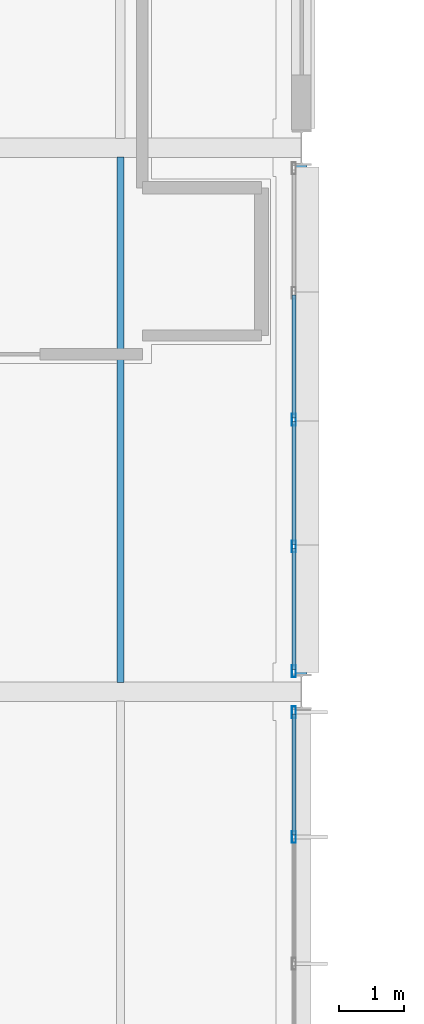
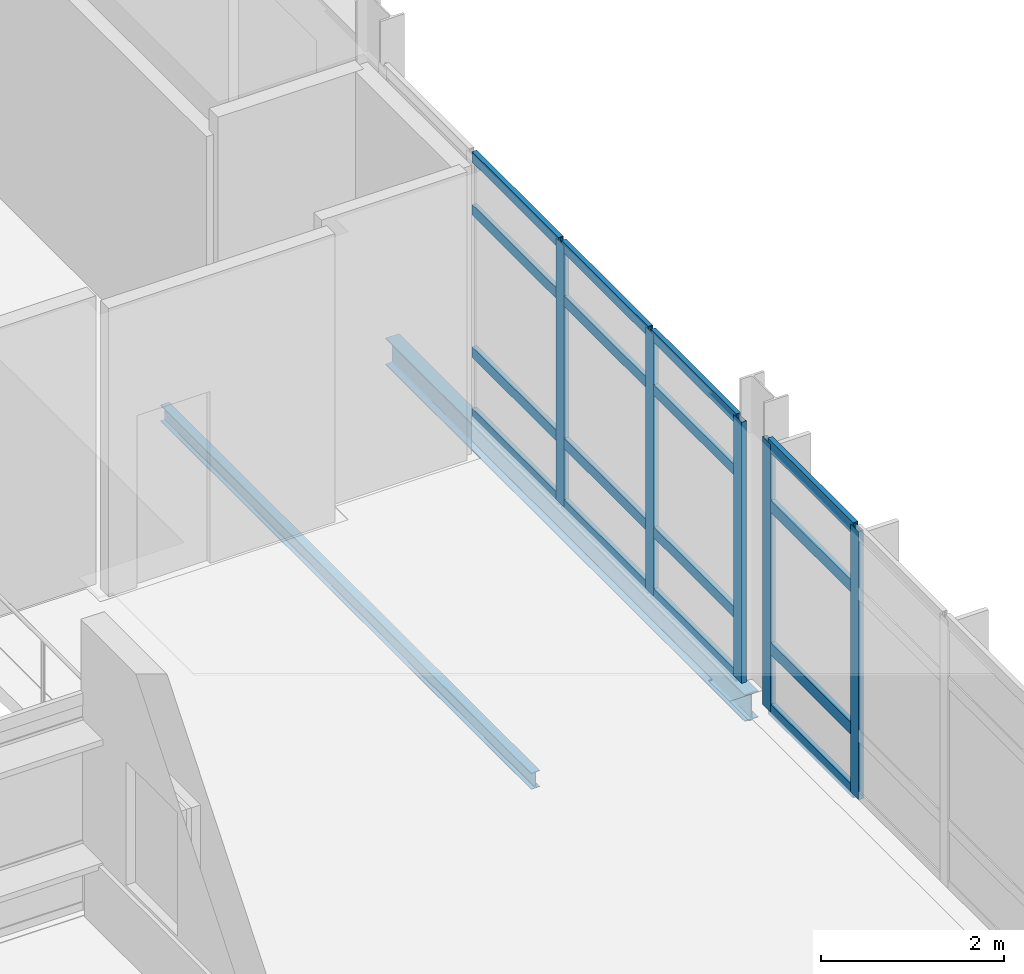
# One storey, part 31 of 131: 21 members, 2 beams, 2 elements without a shape of their own.
"""IFC4 building model written with IfcOpenShell, lengths in metres."""

from ifc_helpers import new_model, si_unit, direction, frame, origin, origin_2d, place, context, subcontext, project, spatial, hollow_rectangle, i_section, extrude, material, material_profile, profile_set, type_object, element, aggregate, save


model = new_model("IFC4")

# Units and contexts
model_context = context("Model", 3, precision=1e-05, world=origin(), true_north=direction((0.0, 1.0)))
body_context = subcontext(model_context, "Body", "Model", "MODEL_VIEW")
ifc_project = project(units=[si_unit("LENGTHUNIT", "METRE"), si_unit("AREAUNIT", "SQUARE_METRE"), si_unit("VOLUMEUNIT", "CUBIC_METRE"), si_unit("PLANEANGLEUNIT", "RADIAN"), si_unit("MASSUNIT", "GRAM", prefix="KILO")], contexts=[model_context])

# Site, building, storey
site_placement = place(None, origin())
site = spatial("IfcSite", under=ifc_project, at=site_placement, CompositionType="ELEMENT")
building_placement = place(site_placement, origin())
building = spatial("IfcBuilding", under=site, at=building_placement, Name="Mersafa Astral City Hall", CompositionType="ELEMENT")
storey_placement = place(building_placement, frame((0.0, 0.0, 13.949951171875)))
storey = spatial("IfcBuildingStorey", under=building, at=storey_placement, Name="L03", CompositionType="ELEMENT", Elevation=13.949951171875)

# Curtain wall, members
ifc_material_1 = material(Name="Anodised bronze aluminium framing", Category="aluminium")
curtain_wall_type_1 = type_object("IfcCurtainWallType", Name="ENV-CW-3", PredefinedType="USERDEFINED", material=ifc_material_1)
curtain_wall_1_placement = place(storey_placement, origin())
curtain_wall_1 = element("IfcCurtainWall", 1, at=curtain_wall_1_placement, inside=storey, type_object=curtain_wall_type_1, Name="L03 Unitised solar curtain wall 152", ObjectType="UNITISED CURTAIN WALL", PredefinedType="USERDEFINED")
ifc_material_profile_1 = material_profile(ifc_material_1, hollow_rectangle(XDim=0.06005859375, YDim=0.179931640625, WallThickness=0.00390625, at=origin_2d()), Name="RHS 60x180x4")
ifc_profile_set_1 = profile_set([ifc_material_profile_1], Name="Anodised bronze aluminium framing")
member_type_1 = type_object("IfcMemberType", Name="ENV-CW-MUL-1", PredefinedType="MULLION", material=ifc_profile_set_1)
member_1_placement = place(storey_placement, frame((117.47998046875, 48.156494140625, -0.001953125), z_axis=(0.0, 0.0, 1.0), x_axis=(-1.0, 0.0, 0.0)))
member_1 = element("IfcMember", 2, at=member_1_placement, type_object=member_type_1, Name="CW-3 mullion 4", PredefinedType="MULLION", context=body_context, shape_type="SweptSolid", body=[
    extrude(hollow_rectangle(XDim=0.06005859375, YDim=0.179931640625, WallThickness=0.00390625, at=origin_2d()), origin(), (0.0, 0.0, 1.0), 3.5791015625),
])
member_2_placement = place(storey_placement, frame((117.47998046875, 50.0830078125, -0.001953125), z_axis=(0.0, 0.0, 1.0), x_axis=(-1.0, 0.0, 0.0)))
member_2 = element("IfcMember", 3, at=member_2_placement, type_object=member_type_1, Name="CW-3 mullion 5", PredefinedType="MULLION", context=body_context, shape_type="SweptSolid", body=[
    extrude(hollow_rectangle(XDim=0.06005859375, YDim=0.179931640625, WallThickness=0.00390625, at=origin_2d()), origin(), (0.0, 0.0, 1.0), 3.5791015625),
])

curtain_wall_type_2 = type_object("IfcCurtainWallType", Name="ENV-CW-4", PredefinedType="USERDEFINED", material=ifc_material_1)
curtain_wall_2_placement = place(storey_placement, origin())
curtain_wall_2 = element("IfcCurtainWall", 4, at=curtain_wall_2_placement, inside=storey, type_object=curtain_wall_type_2, Name="L03 Unitised solar curtain wall 153", ObjectType="UNITISED CURTAIN WALL", PredefinedType="USERDEFINED")
member_3_placement = place(storey_placement, frame((117.47998046875, 50.717041015625, -0.001953125), z_axis=(0.0, 0.0, 1.0), x_axis=(-1.0, 0.0, 0.0)))
member_3 = element("IfcMember", 5, at=member_3_placement, type_object=member_type_1, Name="CW-4 mullion 1", PredefinedType="MULLION", context=body_context, shape_type="SweptSolid", body=[
    extrude(hollow_rectangle(XDim=0.06005859375, YDim=0.179931640625, WallThickness=0.00390625, at=origin_2d()), origin(), (0.0, 0.0, 1.0), 3.489013671875),
])
member_4_placement = place(storey_placement, frame((117.47998046875, 52.6435546875, -0.001953125), z_axis=(0.0, 0.0, 1.0), x_axis=(-1.0, 0.0, 0.0)))
member_4 = element("IfcMember", 6, at=member_4_placement, type_object=member_type_1, Name="CW-4 mullion 2", PredefinedType="MULLION", context=body_context, shape_type="SweptSolid", body=[
    extrude(hollow_rectangle(XDim=0.06005859375, YDim=0.179931640625, WallThickness=0.00390625, at=origin_2d()), origin(), (0.0, 0.0, 1.0), 3.489013671875),
])
member_5_placement = place(storey_placement, frame((117.47998046875, 54.60009765625, -0.001953125), z_axis=(0.0, 0.0, 1.0), x_axis=(-1.0, 0.0, 0.0)))
member_5 = element("IfcMember", 7, at=member_5_placement, type_object=member_type_1, Name="CW-4 mullion 3", PredefinedType="MULLION", context=body_context, shape_type="SweptSolid", body=[
    extrude(hollow_rectangle(XDim=0.06005859375, YDim=0.179931640625, WallThickness=0.00390625, at=origin_2d()), origin(), (0.0, 0.0, 1.0), 3.489013671875),
])
ifc_material_profile_2 = material_profile(ifc_material_1, hollow_rectangle(XDim=0.06005859375, YDim=0.139892578125, WallThickness=0.00390625, at=origin_2d()), Name="RHS 60x140x4")
ifc_profile_set_2 = profile_set([ifc_material_profile_2], Name="Anodised bronze aluminium framing")
member_type_2 = type_object("IfcMemberType", Name="ENV-CW-TRN-1", PredefinedType="USERDEFINED", material=ifc_profile_set_2)
member_6_placement = place(storey_placement, frame((117.47998046875, 50.7470703125, 0.028076171875), z_axis=(0.0, 1.0, 0.0), x_axis=(-1.0, 0.0, 0.0)))
member_6 = element("IfcMember", 8, at=member_6_placement, type_object=member_type_2, Name="CW-4 transom 1.1", ObjectType="TRANSOM", PredefinedType="USERDEFINED", context=body_context, shape_type="SweptSolid", body=[
    extrude(hollow_rectangle(XDim=0.06005859375, YDim=0.139892578125, WallThickness=0.00390625, at=origin_2d()), origin(), (0.0, 0.0, 1.0), 1.866455078125),
])
member_7_placement = place(storey_placement, frame((117.47998046875, 50.7470703125, 0.85009765625), z_axis=(0.0, 1.0, 0.0), x_axis=(-1.0, 0.0, 0.0)))
member_7 = element("IfcMember", 9, at=member_7_placement, type_object=member_type_2, Name="CW-4 transom 1.2", ObjectType="TRANSOM", PredefinedType="USERDEFINED", context=body_context, shape_type="SweptSolid", body=[
    extrude(hollow_rectangle(XDim=0.06005859375, YDim=0.139892578125, WallThickness=0.00390625, at=origin_2d()), origin(), (0.0, 0.0, 1.0), 1.866455078125),
])
member_8_placement = place(storey_placement, frame((117.47998046875, 50.7470703125, 2.75), z_axis=(0.0, 1.0, 0.0), x_axis=(-1.0, 0.0, 0.0)))
member_8 = element("IfcMember", 10, at=member_8_placement, type_object=member_type_2, Name="CW-4 transom 1.3", ObjectType="TRANSOM", PredefinedType="USERDEFINED", context=body_context, shape_type="SweptSolid", body=[
    extrude(hollow_rectangle(XDim=0.06005859375, YDim=0.139892578125, WallThickness=0.00390625, at=origin_2d()), origin(), (0.0, 0.0, 1.0), 1.866455078125),
])
member_9_placement = place(storey_placement, frame((117.47998046875, 50.7470703125, 3.45703125), z_axis=(0.0, 1.0, 0.0), x_axis=(-1.0, 0.0, 0.0)))
member_9 = element("IfcMember", 11, at=member_9_placement, type_object=member_type_2, Name="CW-4 transom 1.4", ObjectType="TRANSOM", PredefinedType="USERDEFINED", context=body_context, shape_type="SweptSolid", body=[
    extrude(hollow_rectangle(XDim=0.06005859375, YDim=0.139892578125, WallThickness=0.00390625, at=origin_2d()), origin(), (0.0, 0.0, 1.0), 1.866455078125),
])
member_10_placement = place(storey_placement, frame((117.47998046875, 52.673583984375, 0.028076171875), z_axis=(0.0, 1.0, 0.0), x_axis=(-1.0, 0.0, 0.0)))
member_10 = element("IfcMember", 12, at=member_10_placement, type_object=member_type_2, Name="CW-4 transom 2.1", ObjectType="TRANSOM", PredefinedType="USERDEFINED", context=body_context, shape_type="SweptSolid", body=[
    extrude(hollow_rectangle(XDim=0.06005859375, YDim=0.139892578125, WallThickness=0.00390625, at=origin_2d()), origin(), (0.0, 0.0, 1.0), 1.896484375),
])
member_11_placement = place(storey_placement, frame((117.47998046875, 52.673583984375, 0.85009765625), z_axis=(0.0, 1.0, 0.0), x_axis=(-1.0, 0.0, 0.0)))
member_11 = element("IfcMember", 13, at=member_11_placement, type_object=member_type_2, Name="CW-4 transom 2.2", ObjectType="TRANSOM", PredefinedType="USERDEFINED", context=body_context, shape_type="SweptSolid", body=[
    extrude(hollow_rectangle(XDim=0.06005859375, YDim=0.139892578125, WallThickness=0.00390625, at=origin_2d()), origin(), (0.0, 0.0, 1.0), 1.896484375),
])
member_12_placement = place(storey_placement, frame((117.47998046875, 52.673583984375, 2.75), z_axis=(0.0, 1.0, 0.0), x_axis=(-1.0, 0.0, 0.0)))
member_12 = element("IfcMember", 14, at=member_12_placement, type_object=member_type_2, Name="CW-4 transom 2.3", ObjectType="TRANSOM", PredefinedType="USERDEFINED", context=body_context, shape_type="SweptSolid", body=[
    extrude(hollow_rectangle(XDim=0.06005859375, YDim=0.139892578125, WallThickness=0.00390625, at=origin_2d()), origin(), (0.0, 0.0, 1.0), 1.896484375),
])
member_13_placement = place(storey_placement, frame((117.47998046875, 52.673583984375, 3.45703125), z_axis=(0.0, 1.0, 0.0), x_axis=(-1.0, 0.0, 0.0)))
member_13 = element("IfcMember", 15, at=member_13_placement, type_object=member_type_2, Name="CW-4 transom 2.4", ObjectType="TRANSOM", PredefinedType="USERDEFINED", context=body_context, shape_type="SweptSolid", body=[
    extrude(hollow_rectangle(XDim=0.06005859375, YDim=0.139892578125, WallThickness=0.00390625, at=origin_2d()), origin(), (0.0, 0.0, 1.0), 1.896484375),
])
member_14_placement = place(storey_placement, frame((117.47998046875, 54.6298828125, 0.028076171875), z_axis=(0.0, 1.0, 0.0), x_axis=(-1.0, 0.0, 0.0)))
member_14 = element("IfcMember", 16, at=member_14_placement, type_object=member_type_2, Name="CW-4 transom 3.1", ObjectType="TRANSOM", PredefinedType="USERDEFINED", context=body_context, shape_type="SweptSolid", body=[
    extrude(hollow_rectangle(XDim=0.06005859375, YDim=0.139892578125, WallThickness=0.00390625, at=origin_2d()), origin(), (0.0, 0.0, 1.0), 1.896728515625),
])
member_15_placement = place(storey_placement, frame((117.47998046875, 54.6298828125, 0.85009765625), z_axis=(0.0, 1.0, 0.0), x_axis=(-1.0, 0.0, 0.0)))
member_15 = element("IfcMember", 17, at=member_15_placement, type_object=member_type_2, Name="CW-4 transom 3.2", ObjectType="TRANSOM", PredefinedType="USERDEFINED", context=body_context, shape_type="SweptSolid", body=[
    extrude(hollow_rectangle(XDim=0.06005859375, YDim=0.139892578125, WallThickness=0.00390625, at=origin_2d()), origin(), (0.0, 0.0, 1.0), 1.896728515625),
])
member_16_placement = place(storey_placement, frame((117.47998046875, 54.6298828125, 2.75), z_axis=(0.0, 1.0, 0.0), x_axis=(-1.0, 0.0, 0.0)))
member_16 = element("IfcMember", 18, at=member_16_placement, type_object=member_type_2, Name="CW-4 transom 3.3", ObjectType="TRANSOM", PredefinedType="USERDEFINED", context=body_context, shape_type="SweptSolid", body=[
    extrude(hollow_rectangle(XDim=0.06005859375, YDim=0.139892578125, WallThickness=0.00390625, at=origin_2d()), origin(), (0.0, 0.0, 1.0), 1.896728515625),
])
member_17_placement = place(storey_placement, frame((117.47998046875, 54.6298828125, 3.45703125), z_axis=(0.0, 1.0, 0.0), x_axis=(-1.0, 0.0, 0.0)))
member_17 = element("IfcMember", 19, at=member_17_placement, type_object=member_type_2, Name="CW-4 transom 3.4", ObjectType="TRANSOM", PredefinedType="USERDEFINED", context=body_context, shape_type="SweptSolid", body=[
    extrude(hollow_rectangle(XDim=0.06005859375, YDim=0.139892578125, WallThickness=0.00390625, at=origin_2d()), origin(), (0.0, 0.0, 1.0), 1.896728515625),
])
aggregate(curtain_wall_2, [member_3, member_4, member_5, member_6, member_7, member_8, member_9, member_10, member_11, member_12, member_13, member_14, member_15, member_16, member_17])

# Member
ifc_material_profile_3 = material_profile(ifc_material_1, hollow_rectangle(XDim=0.06005859375, YDim=0.159912109375, WallThickness=0.00390625, at=origin_2d()), Name="RHS 60x160x4")
ifc_profile_set_3 = profile_set([ifc_material_profile_3], Name="Anodised bronze aluminium framing")
member_type_3 = type_object("IfcMemberType", Name="ENV-CW-TRN-2", PredefinedType="USERDEFINED", material=ifc_profile_set_3)
member_18_placement = place(storey_placement, frame((117.47998046875, 48.1865234375, 0.028076171875), z_axis=(0.0, 1.0, 0.0), x_axis=(-1.0, 0.0, 0.0)))
member_18 = element("IfcMember", 20, at=member_18_placement, type_object=member_type_3, Name="CW-3 transom 4.1", ObjectType="TRANSOM", PredefinedType="USERDEFINED", context=body_context, shape_type="SweptSolid", body=[
    extrude(hollow_rectangle(XDim=0.06005859375, YDim=0.159912109375, WallThickness=0.00390625, at=origin_2d()), origin(), (0.0, 0.0, 1.0), 1.866455078125),
])

member_19_placement = place(storey_placement, frame((117.47998046875, 48.1865234375, 0.85009765625), z_axis=(0.0, 1.0, 0.0), x_axis=(-1.0, 0.0, 0.0)))
member_19 = element("IfcMember", 21, at=member_19_placement, type_object=member_type_3, Name="CW-3 transom 4.2", ObjectType="TRANSOM", PredefinedType="USERDEFINED", context=body_context, shape_type="SweptSolid", body=[
    extrude(hollow_rectangle(XDim=0.06005859375, YDim=0.159912109375, WallThickness=0.00390625, at=origin_2d()), origin(), (0.0, 0.0, 1.0), 1.866455078125),
])

member_20_placement = place(storey_placement, frame((117.47998046875, 48.1865234375, 2.75), z_axis=(0.0, 1.0, 0.0), x_axis=(-1.0, 0.0, 0.0)))
member_20 = element("IfcMember", 22, at=member_20_placement, type_object=member_type_3, Name="CW-3 transom 4.3", ObjectType="TRANSOM", PredefinedType="USERDEFINED", context=body_context, shape_type="SweptSolid", body=[
    extrude(hollow_rectangle(XDim=0.06005859375, YDim=0.159912109375, WallThickness=0.00390625, at=origin_2d()), origin(), (0.0, 0.0, 1.0), 1.866455078125),
])

member_21_placement = place(storey_placement, frame((117.47998046875, 48.1865234375, 3.547119140625), z_axis=(0.0, 1.0, 0.0), x_axis=(-1.0, 0.0, 0.0)))
member_21 = element("IfcMember", 23, at=member_21_placement, type_object=member_type_3, Name="CW-3 transom 4.4", ObjectType="TRANSOM", PredefinedType="USERDEFINED", context=body_context, shape_type="SweptSolid", body=[
    extrude(hollow_rectangle(XDim=0.06005859375, YDim=0.159912109375, WallThickness=0.00390625, at=origin_2d()), origin(), (0.0, 0.0, 1.0), 1.866455078125),
])

aggregate(curtain_wall_1, [member_1, member_2, member_18, member_19, member_20, member_21])

# Beams
ifc_material_2 = material(Name="Steel S355", Category="steel")
ifc_material_profile_4 = material_profile(ifc_material_2, i_section(OverallWidth=0.110107421875, OverallDepth=0.219970703125, WebThickness=0.005859375, FlangeThickness=0.00927734375, FilletRadius=0.011962890625, at=origin_2d()), Name="IPE 220")
ifc_profile_set_4 = profile_set([ifc_material_profile_4], Name="Steel S355")
beam_type_1 = type_object("IfcBeamType", Name="STR-BM-JOIST-IPE220", PredefinedType="JOIST", material=ifc_profile_set_4)
beam_1_placement = place(storey_placement, frame((114.800048828125, 50.544921875, -0.31005859375), z_axis=(0.0, 1.0, 0.0), x_axis=(-1.0, 0.0, 0.0)))
element("IfcBeam", 24, at=beam_1_placement, inside=storey, type_object=beam_type_1, Name="L03 Composite secondary floor joist 613", PredefinedType="JOIST", context=body_context, shape_type="SweptSolid", body=[
    extrude(i_section(OverallWidth=0.110107421875, OverallDepth=0.219970703125, WebThickness=0.005859375, FlangeThickness=0.00927734375, FilletRadius=0.011962890625, at=origin_2d()), origin(), (0.0, 0.0, 1.0), 8.110107421875),
])
ifc_material_profile_5 = material_profile(ifc_material_2, i_section(OverallWidth=0.169921875, OverallDepth=0.360107421875, WebThickness=0.008056640625, FlangeThickness=0.0126953125, FilletRadius=0.01806640625, at=origin_2d()), Name="IPE 360")
ifc_profile_set_5 = profile_set([ifc_material_profile_5], Name="Steel S355")
beam_type_2 = type_object("IfcBeamType", Name="STR-BM-SPANDREL-IPE360", PredefinedType="SPANDREL", material=ifc_profile_set_5)
beam_2_placement = place(storey_placement, frame((117.60009765625, 50.669921875, -0.3798828125), z_axis=(0.0, 1.0, 0.0), x_axis=(-1.0, 0.0, 0.0)))
element("IfcBeam", 25, at=beam_2_placement, inside=storey, type_object=beam_type_2, Name="L03 Primary girder Y 14-6", PredefinedType="SPANDREL", context=body_context, shape_type="SweptSolid", body=[
    extrude(i_section(OverallWidth=0.169921875, OverallDepth=0.360107421875, WebThickness=0.008056640625, FlangeThickness=0.0126953125, FilletRadius=0.01806640625, at=origin_2d()), origin(), (0.0, 0.0, 1.0), 7.860107421875),
])

save(model, "model.ifc")
